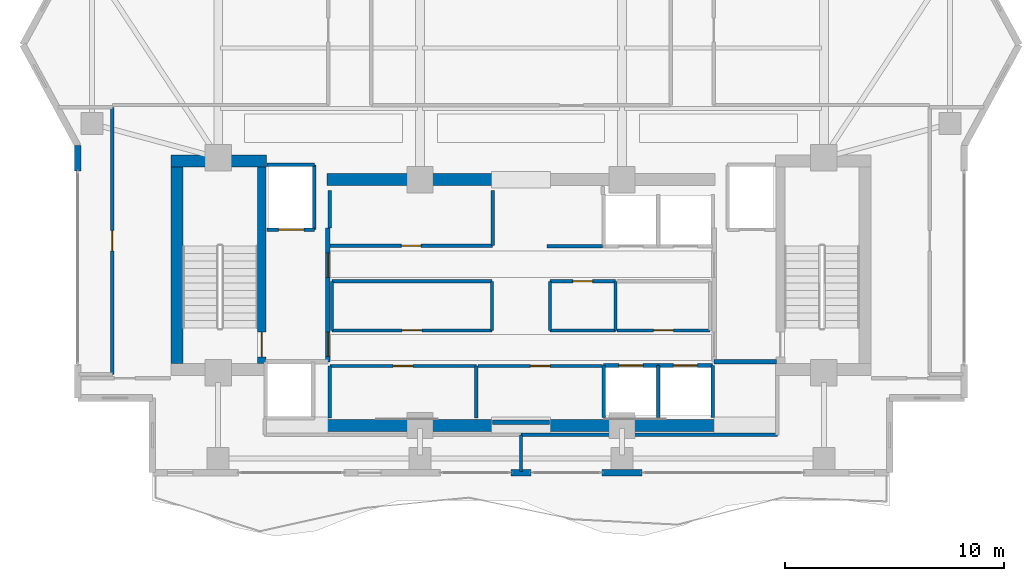
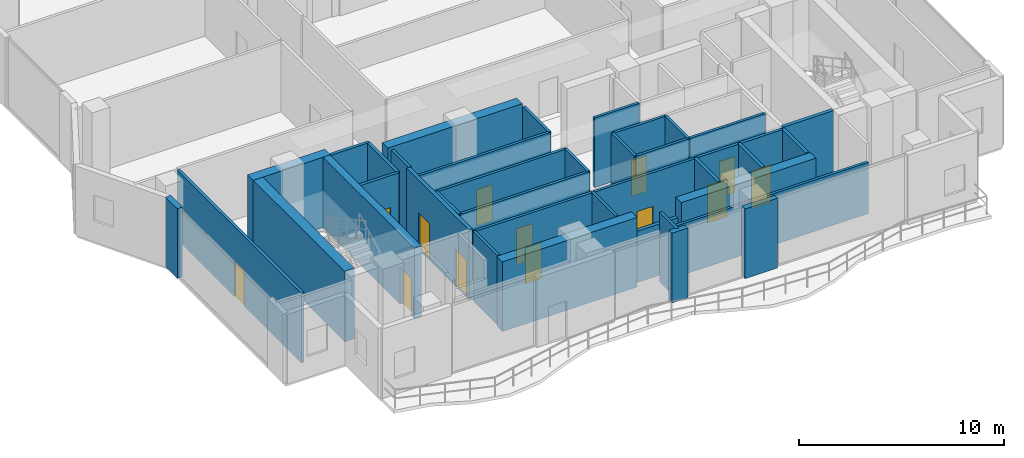
# One storey, part 17 of 24: 40 walls, 13 doors, 13 openings.
"""IFC4 building model written with IfcOpenShell, lengths in metres."""

from ifc_helpers import new_model, si_unit, direction, frame, frame_2d, origin, place, context, subcontext, project, spatial, rectangle, extrude, material, layer, layer_set, type_object, element, fill, save


model = new_model("IFC4")

# Units and contexts
model_context = context("Model", 3, precision=1e-05, world=origin(), true_north=direction((0.0, 1.0)))
body_context = subcontext(model_context, "Body", "Model", "MODEL_VIEW")
ifc_project = project(units=[si_unit("LENGTHUNIT", "METRE"), si_unit("AREAUNIT", "SQUARE_METRE"), si_unit("VOLUMEUNIT", "CUBIC_METRE"), si_unit("PLANEANGLEUNIT", "RADIAN"), si_unit("MASSUNIT", "GRAM", prefix="KILO")], contexts=[model_context])

# Site, building, storey
site_placement = place(None, origin())
site = spatial("IfcSite", under=ifc_project, at=site_placement, CompositionType="ELEMENT")
building_placement = place(site_placement, origin())
building = spatial("IfcBuilding", under=site, at=building_placement, Name="Zuhayl Quay Hotel", CompositionType="ELEMENT")
storey_placement = place(building_placement, frame((0.0, 0.0, 292.85009765625)))
storey = spatial("IfcBuildingStorey", under=building, at=storey_placement, Name="L74", CompositionType="ELEMENT", Elevation=292.85009765625)

# Walls
ifc_material_1 = material(Name="Concrete C50/60", Category="concrete")
ifc_layer_1 = layer(ifc_material_1, 0.550048828125, Name="Concrete C50/60", Category="concrete")
ifc_layer_set_1 = layer_set([ifc_layer_1], Name="Concrete C50/60")
wall_type_1 = type_object("IfcWallType", Name="WL_CORE_550", PredefinedType="SHEAR", material=ifc_layer_set_1)
wall_1_placement = place(storey_placement, frame((-15.9599609375, 14.205078125, 0.0), z_axis=(0.0, 0.0, 1.0), x_axis=(1.0, 0.0, 0.0)))
element("IfcWall", 1, at=wall_1_placement, inside=storey, type_object=wall_type_1, Name="L74 Core Shear Wall CW_NW", PredefinedType="SHEAR", context=body_context, shape_type="SweptSolid", body=[
    extrude(rectangle(XDim=4.35986328125, YDim=0.550048828125, at=frame_2d((2.179931640625, 0.0))), origin(), (0.0, 0.0, 1.0), 4.2099609375),
])
wall_2_placement = place(storey_placement, frame((-15.68505859375, 4.969970703125, 0.0), z_axis=(0.0, 0.0, 1.0), x_axis=(0.0, 1.0, 0.0)))
element("IfcWall", 2, at=wall_2_placement, inside=storey, type_object=wall_type_1, Name="L74 Core Shear Wall CW_W", PredefinedType="SHEAR", context=body_context, shape_type="SweptSolid", body=[
    extrude(rectangle(XDim=8.9599609375, YDim=0.550048828125, at=frame_2d((4.47998046875, 0.0))), origin(), (0.0, 0.0, 1.0), 4.2099609375),
])
for number, where, z_axis, x_axis, name in (
    (3, (-8.85009765625, 2.14990234375, 0.0), (0.0, 0.0, 1.0), (1.0, 0.0, 0.0), "L74 Core Shear Wall CW_SC_W"),
    (4, (1.25, 2.14990234375, 0.0), (0.0, 0.0, 1.0), (1.0, 0.0, 0.0), "L74 Core Shear Wall CW_SC_E"),
    (5, (-8.85009765625, 13.35009765625, 0.0), (0.0, 0.0, 1.0), (1.0, 0.0, 0.0), "L74 Core Shear Wall CW_NC_W"),
):
    element("IfcWall", number, at=place(storey_placement, frame(where, z_axis=z_axis, x_axis=x_axis)), inside=storey, type_object=wall_type_1, Name=name, PredefinedType="SHEAR", context=body_context, shape_type="SweptSolid", body=[
        extrude(rectangle(XDim=7.60009765625, YDim=0.550048828125, at=frame_2d((3.800048828125, 0.0))), origin(), (0.0, 0.0, 1.0), 4.159912109375),
    ])
ifc_material_2 = material(Name="Precast concrete C45/55", Category="concrete")
ifc_layer_2 = layer(ifc_material_2, 0.300048828125, Name="Precast concrete C45/55", Category="concrete")
ifc_layer_set_2 = layer_set([ifc_layer_2], Name="Precast concrete C45/55")
wall_type_2 = type_object("IfcWallType", Name="WL_EXT_300", PredefinedType="STANDARD", material=ifc_layer_set_2)
wall_3_placement = place(storey_placement, frame((-20.199951171875, 13.75, 0.0), z_axis=(0.0, 0.0, 1.0), x_axis=(0.0, 1.0, 0.0)))
element("IfcWall", 6, at=wall_3_placement, inside=storey, type_object=wall_type_2, Name="L74 Exterior Precast Wall ENV_L74_E02_EW2", PredefinedType="STANDARD", context=body_context, shape_type="SweptSolid", body=[
    extrude(rectangle(XDim=1.14990234375, YDim=0.300048828125, at=frame_2d((0.574951171875, 0.0))), origin(), (0.0, 0.0, 1.0), 4.159912109375),
])
wall_4_placement = place(storey_placement, frame((5.52001953125, 0.0, 0.0), z_axis=(0.0, 0.0, 1.0), x_axis=(-1.0, 0.0, 0.0)))
element("IfcWall", 7, at=wall_4_placement, inside=storey, type_object=wall_type_2, Name="L74 Exterior Precast Wall ENV_L74_S_EW2", PredefinedType="STANDARD", context=body_context, shape_type="SweptSolid", body=[
    extrude(rectangle(XDim=1.840087890625, YDim=0.300048828125, at=frame_2d((0.919921875, 0.0))), origin(), (0.0, 0.0, 1.0), 4.159912109375),
])
wall_5_placement = place(storey_placement, frame((0.449951171875, 0.0, 0.0), z_axis=(0.0, 0.0, 1.0), x_axis=(-1.0, 0.0, 0.0)))
element("IfcWall", 8, at=wall_5_placement, inside=storey, type_object=wall_type_2, Name="L74 Exterior Precast Wall ENV_L74_S_EW3", PredefinedType="STANDARD", context=body_context, shape_type="SweptSolid", body=[
    extrude(rectangle(XDim=0.89990234375, YDim=0.300048828125, at=frame_2d((0.449951171875, 0.0))), origin(), (0.0, 0.0, 1.0), 4.159912109375),
])

# Wall, opening, door
ifc_material_3 = material(Name="Acoustic Gypsum Partition STC-58")
ifc_layer_3 = layer(ifc_material_3, 0.14990234375, Name="Acoustic Gypsum Partition STC-58")
ifc_layer_set_3 = layer_set([ifc_layer_3], Name="Acoustic Gypsum Partition STC-58")
wall_type_3 = type_object("IfcWallType", Name="WL_PART_150", PredefinedType="PARTITIONING", material=ifc_layer_set_3)
wall_6_placement = place(storey_placement, frame((-8.7099609375, 4.860107421875, 0.0), z_axis=(0.0, 0.0, 1.0), x_axis=(1.0, 0.0, 0.0)))
wall_6 = element("IfcWall", 9, at=wall_6_placement, inside=storey, type_object=wall_type_3, Name="L74 Partition IW_L74_FMP_SW_N", PredefinedType="PARTITIONING", context=body_context, shape_type="SweptSolid", body=[
    extrude(rectangle(XDim=6.669921875, YDim=0.14990234375, at=frame_2d((3.3349609375, 0.0))), origin(), (0.0, 0.0, 1.0), 4.159912109375),
])
opening_1_placement = place(wall_6_placement, frame((2.885009765625, 0.0, 0.0)))
opening_1 = element("IfcOpeningElement", 10, at=opening_1_placement, cuts=wall_6, Name="Opening D06", PredefinedType="OPENING", context=body_context, shape_type="SweptSolid", body=[
    extrude(rectangle(XDim=0.89990234375, YDim=2.14990234375, at=frame_2d((0.449951171875, 1.074951171875))), frame((0.0, 0.0849609375, 0.0), z_axis=(0.0, -1.0, 0.0), x_axis=(1.0, 0.0, 0.0)), (0.0, 0.0, 1.0), 0.169921875),
])
ifc_material_4 = material(Name="Steel ASTM A992 Grade 50", Category="steel")
door_type_1 = type_object("IfcDoorType", Name="DR_INT_900", OperationType="NOTDEFINED", PredefinedType="DOOR", material=ifc_material_4)
door_1_placement = place(opening_1_placement, origin())
door_1 = element("IfcDoor", 11, at=door_1_placement, inside=storey, type_object=door_type_1, Name="L74 Sky-Suite Sommelier Pantry Door", OperationType="SINGLE_SWING_LEFT", OverallHeight=2.14990234375, OverallWidth=0.89990234375, PredefinedType="DOOR", context=body_context, shape_type="SweptSolid", body=[
    extrude(rectangle(XDim=0.89990234375, YDim=2.14990234375, at=frame_2d((0.449951171875, 1.074951171875))), frame((0.0, 0.02490234375, 0.0), z_axis=(0.0, -1.0, 0.0), x_axis=(1.0, 0.0, 0.0)), (0.0, 0.0, 1.0), 0.050048828125),
])
fill(opening_1, door_1)

wall_7_placement = place(storey_placement, frame((-1.9599609375, 4.860107421875, 0.0), z_axis=(0.0, 0.0, 1.0), x_axis=(1.0, 0.0, 0.0)))
wall_7 = element("IfcWall", 12, at=wall_7_placement, inside=storey, type_object=wall_type_3, Name="L74 Partition IW_L74_FMP_SE_N", PredefinedType="PARTITIONING", context=body_context, shape_type="SweptSolid", body=[
    extrude(rectangle(XDim=5.669921875, YDim=0.14990234375, at=frame_2d((2.8349609375, 0.0))), origin(), (0.0, 0.0, 1.0), 4.159912109375),
])
opening_2_placement = place(wall_7_placement, frame((2.385009765625, 0.0, 0.0)))
opening_2 = element("IfcOpeningElement", 13, at=opening_2_placement, cuts=wall_7, Name="Opening D06", PredefinedType="OPENING", context=body_context, shape_type="SweptSolid", body=[
    extrude(rectangle(XDim=0.89990234375, YDim=2.14990234375, at=frame_2d((0.449951171875, 1.074951171875))), frame((0.0, 0.0849609375, 0.0), z_axis=(0.0, -1.0, 0.0), x_axis=(1.0, 0.0, 0.0)), (0.0, 0.0, 1.0), 0.169921875),
])
door_2_placement = place(opening_2_placement, origin())
door_2 = element("IfcDoor", 14, at=door_2_placement, inside=storey, type_object=door_type_1, Name="L74 Butler Linen Store Door", OperationType="SINGLE_SWING_RIGHT", OverallHeight=2.14990234375, OverallWidth=0.89990234375, PredefinedType="DOOR", context=body_context, shape_type="SweptSolid", body=[
    extrude(rectangle(XDim=0.89990234375, YDim=2.14990234375, at=frame_2d((0.449951171875, 1.074951171875))), frame((0.0, 0.02490234375, 0.0), z_axis=(0.0, -1.0, 0.0), x_axis=(1.0, 0.0, 0.0)), (0.0, 0.0, 1.0), 0.050048828125),
])
fill(opening_2, door_2)

wall_8_placement = place(storey_placement, frame((-8.7099609375, 10.340087890625, 0.0), z_axis=(0.0, 0.0, 1.0), x_axis=(1.0, 0.0, 0.0)))
wall_8 = element("IfcWall", 15, at=wall_8_placement, inside=storey, type_object=wall_type_3, Name="L74 Partition IW_L74_FMP_NW_S", PredefinedType="PARTITIONING", context=body_context, shape_type="SweptSolid", body=[
    extrude(rectangle(XDim=7.419921875, YDim=0.14990234375, at=frame_2d((3.7099609375, 0.0))), origin(), (0.0, 0.0, 1.0), 4.159912109375),
])
opening_3_placement = place(wall_8_placement, frame((3.260009765625, 0.0, 0.0)))
opening_3 = element("IfcOpeningElement", 16, at=opening_3_placement, cuts=wall_8, Name="Opening D06", PredefinedType="OPENING", context=body_context, shape_type="SweptSolid", body=[
    extrude(rectangle(XDim=0.89990234375, YDim=2.14990234375, at=frame_2d((0.449951171875, 1.074951171875))), frame((0.0, 0.0849609375, 0.0), z_axis=(0.0, -1.0, 0.0), x_axis=(1.0, 0.0, 0.0)), (0.0, 0.0, 1.0), 0.169921875),
])
door_3_placement = place(opening_3_placement, origin())
door_3 = element("IfcDoor", 17, at=door_3_placement, inside=storey, type_object=door_type_1, Name="L74 Valet Linen Store Door", OperationType="SINGLE_SWING_LEFT", OverallHeight=2.14990234375, OverallWidth=0.89990234375, PredefinedType="DOOR", context=body_context, shape_type="SweptSolid", body=[
    extrude(rectangle(XDim=0.89990234375, YDim=2.14990234375, at=frame_2d((0.449951171875, 1.074951171875))), frame((0.0, 0.02490234375, 0.0), z_axis=(0.0, -1.0, 0.0), x_axis=(1.0, 0.0, 0.0)), (0.0, 0.0, 1.0), 0.050048828125),
])
fill(opening_3, door_3)

wall_9_placement = place(storey_placement, frame((-8.610107421875, 6.47998046875, 0.0), z_axis=(0.0, 0.0, 1.0), x_axis=(1.0, 0.0, 0.0)))
wall_9 = element("IfcWall", 18, at=wall_9_placement, inside=storey, type_object=wall_type_3, Name="L74 Partition IW_L74_CORE_EL_S", PredefinedType="PARTITIONING", context=body_context, shape_type="SweptSolid", body=[
    extrude(rectangle(XDim=7.2900390625, YDim=0.14990234375, at=frame_2d((3.64501953125, 0.0))), origin(), (0.0, 0.0, 1.0), 4.159912109375),
])
opening_4_placement = place(wall_9_placement, frame((3.195068359375, 0.0, 0.0)))
opening_4 = element("IfcOpeningElement", 19, at=opening_4_placement, cuts=wall_9, Name="Opening D06", PredefinedType="OPENING", context=body_context, shape_type="SweptSolid", body=[
    extrude(rectangle(XDim=0.89990234375, YDim=2.14990234375, at=frame_2d((0.449951171875, 1.074951171875))), frame((0.0, 0.0849609375, 0.0), z_axis=(0.0, -1.0, 0.0), x_axis=(1.0, 0.0, 0.0)), (0.0, 0.0, 1.0), 0.169921875),
])
door_4_placement = place(opening_4_placement, origin())
door_4 = element("IfcDoor", 20, at=door_4_placement, inside=storey, type_object=door_type_1, Name="L74 Floor Electrical Plant Room Door", OperationType="SINGLE_SWING_RIGHT", OverallHeight=2.14990234375, OverallWidth=0.89990234375, PredefinedType="DOOR", context=body_context, shape_type="SweptSolid", body=[
    extrude(rectangle(XDim=0.89990234375, YDim=2.14990234375, at=frame_2d((0.449951171875, 1.074951171875))), frame((0.0, 0.02490234375, 0.0), z_axis=(0.0, -1.0, 0.0), x_axis=(1.0, 0.0, 0.0)), (0.0, 0.0, 1.0), 0.050048828125),
])
fill(opening_4, door_4)

wall_10_placement = place(storey_placement, frame((1.320068359375, 8.719970703125, 0.0), z_axis=(0.0, 0.0, 1.0), x_axis=(1.0, 0.0, 0.0)))
wall_10 = element("IfcWall", 21, at=wall_10_placement, inside=storey, type_object=wall_type_3, Name="L74 Partition IW_L74_CORE_IT_N", PredefinedType="PARTITIONING", context=body_context, shape_type="SweptSolid", body=[
    extrude(rectangle(XDim=2.989990234375, YDim=0.14990234375, at=frame_2d((1.4951171875, 0.0))), origin(), (0.0, 0.0, 1.0), 4.159912109375),
])
opening_5_placement = place(wall_10_placement, frame((1.044921875, 0.0, 0.0)))
opening_5 = element("IfcOpeningElement", 22, at=opening_5_placement, cuts=wall_10, Name="Opening D06", PredefinedType="OPENING", context=body_context, shape_type="SweptSolid", body=[
    extrude(rectangle(XDim=0.89990234375, YDim=2.14990234375, at=frame_2d((0.449951171875, 1.074951171875))), frame((0.0, 0.0849609375, 0.0), z_axis=(0.0, -1.0, 0.0), x_axis=(1.0, 0.0, 0.0)), (0.0, 0.0, 1.0), 0.169921875),
])
door_5_placement = place(opening_5_placement, origin())
door_5 = element("IfcDoor", 23, at=door_5_placement, inside=storey, type_object=door_type_1, Name="L74 Telecom Closet Door", OperationType="SINGLE_SWING_LEFT", OverallHeight=2.14990234375, OverallWidth=0.89990234375, PredefinedType="DOOR", context=body_context, shape_type="SweptSolid", body=[
    extrude(rectangle(XDim=0.89990234375, YDim=2.14990234375, at=frame_2d((0.449951171875, 1.074951171875))), frame((0.0, 0.02490234375, 0.0), z_axis=(0.0, -1.0, 0.0), x_axis=(1.0, 0.0, 0.0)), (0.0, 0.0, 1.0), 0.050048828125),
])
fill(opening_5, door_5)

wall_11_placement = place(storey_placement, frame((4.3701171875, 6.47998046875, 0.0), z_axis=(0.0, 0.0, 1.0), x_axis=(1.0, 0.0, 0.0)))
wall_11 = element("IfcWall", 24, at=wall_11_placement, inside=storey, type_object=wall_type_3, Name="L74 Partition IW_L74_CORE_LN_S", PredefinedType="PARTITIONING", context=body_context, shape_type="SweptSolid", body=[
    extrude(rectangle(XDim=4.239990234375, YDim=0.14990234375, at=frame_2d((2.1201171875, 0.0))), origin(), (0.0, 0.0, 1.0), 4.159912109375),
])
opening_6_placement = place(wall_11_placement, frame((1.669921875, 0.0, 0.0)))
opening_6 = element("IfcOpeningElement", 25, at=opening_6_placement, cuts=wall_11, Name="Opening D06", PredefinedType="OPENING", context=body_context, shape_type="SweptSolid", body=[
    extrude(rectangle(XDim=0.89990234375, YDim=2.14990234375, at=frame_2d((0.449951171875, 1.074951171875))), frame((0.0, 0.0849609375, 0.0), z_axis=(0.0, -1.0, 0.0), x_axis=(1.0, 0.0, 0.0)), (0.0, 0.0, 1.0), 0.169921875),
])
door_6_placement = place(opening_6_placement, origin())
door_6 = element("IfcDoor", 26, at=door_6_placement, inside=storey, type_object=door_type_1, Name="L74 Core Linen Store Door", OperationType="SINGLE_SWING_RIGHT", OverallHeight=2.14990234375, OverallWidth=0.89990234375, PredefinedType="DOOR", context=body_context, shape_type="SweptSolid", body=[
    extrude(rectangle(XDim=0.89990234375, YDim=2.14990234375, at=frame_2d((0.449951171875, 1.074951171875))), frame((0.0, 0.02490234375, 0.0), z_axis=(0.0, -1.0, 0.0), x_axis=(1.0, 0.0, 0.0)), (0.0, 0.0, 1.0), 0.050048828125),
])
fill(opening_6, door_6)

# Walls
for number, where, z_axis, x_axis, name in (
    (27, (-8.7099609375, 2.489990234375, 0.0), (0.0, 0.0, 1.0), (0.0, 1.0, 0.0), "L74 Partition IW_L74_FMP_SW_W"),
    (28, (-2.0400390625, 2.489990234375, 0.0), (0.0, 0.0, 1.0), (0.0, 1.0, 0.0), "L74 Partition IW_L74_FMP_SW_E"),
):
    element("IfcWall", number, at=place(storey_placement, frame(where, z_axis=z_axis, x_axis=x_axis)), inside=storey, type_object=wall_type_3, Name=name, PredefinedType="PARTITIONING", context=body_context, shape_type="SweptSolid", body=[
        extrude(rectangle(XDim=2.3701171875, YDim=0.14990234375, at=frame_2d((1.18505859375, 0.0))), origin(), (0.0, 0.0, 1.0), 4.159912109375),
    ])
wall_12_placement = place(storey_placement, frame((-8.7099609375, 11.14990234375, 0.0), z_axis=(0.0, 0.0, 1.0), x_axis=(0.0, 1.0, 0.0)))
element("IfcWall", 29, at=wall_12_placement, inside=storey, type_object=wall_type_3, Name="L74 Partition IW_L74_FMP_NW_W", PredefinedType="PARTITIONING", context=body_context, shape_type="SweptSolid", body=[
    extrude(rectangle(XDim=1.710205078125, YDim=0.14990234375, at=frame_2d((0.85498046875, 0.0))), origin(), (0.0, 0.0, 1.0), 4.159912109375),
])
wall_13_placement = place(storey_placement, frame((-1.2900390625, 10.340087890625, 0.0), z_axis=(0.0, 0.0, 1.0), x_axis=(0.0, 1.0, 0.0)))
element("IfcWall", 30, at=wall_13_placement, inside=storey, type_object=wall_type_3, Name="L74 Partition IW_L74_FMP_NW_E", PredefinedType="PARTITIONING", context=body_context, shape_type="SweptSolid", body=[
    extrude(rectangle(XDim=2.52001953125, YDim=0.14990234375, at=frame_2d((1.260009765625, 0.0))), origin(), (0.0, 0.0, 1.0), 4.159912109375),
])
wall_14_placement = place(storey_placement, frame((-8.610107421875, 8.719970703125, 0.0), z_axis=(0.0, 0.0, 1.0), x_axis=(1.0, 0.0, 0.0)))
element("IfcWall", 31, at=wall_14_placement, inside=storey, type_object=wall_type_3, Name="L74 Partition IW_L74_CORE_EL_N", PredefinedType="PARTITIONING", context=body_context, shape_type="SweptSolid", body=[
    extrude(rectangle(XDim=7.2900390625, YDim=0.14990234375, at=frame_2d((3.64501953125, 0.0))), origin(), (0.0, 0.0, 1.0), 4.159912109375),
])
for number, where, z_axis, x_axis, name in (
    (32, (-8.610107421875, 6.47998046875, 0.0), (0.0, 0.0, 1.0), (0.0, 1.0, 0.0), "L74 Partition IW_L74_CORE_EL_W"),
    (33, (-1.320068359375, 6.47998046875, 0.0), (0.0, 0.0, 1.0), (0.0, 1.0, 0.0), "L74 Partition IW_L74_CORE_EL_E"),
):
    element("IfcWall", number, at=place(storey_placement, frame(where, z_axis=z_axis, x_axis=x_axis)), inside=storey, type_object=wall_type_3, Name=name, PredefinedType="PARTITIONING", context=body_context, shape_type="SweptSolid", body=[
        extrude(rectangle(XDim=2.239990234375, YDim=0.14990234375, at=frame_2d((1.1201171875, 0.0))), origin(), (0.0, 0.0, 1.0), 4.159912109375),
    ])
wall_15_placement = place(storey_placement, frame((1.320068359375, 6.47998046875, 0.0), z_axis=(0.0, 0.0, 1.0), x_axis=(1.0, 0.0, 0.0)))
element("IfcWall", 34, at=wall_15_placement, inside=storey, type_object=wall_type_3, Name="L74 Partition IW_L74_CORE_IT_S", PredefinedType="PARTITIONING", context=body_context, shape_type="SweptSolid", body=[
    extrude(rectangle(XDim=2.989990234375, YDim=0.14990234375, at=frame_2d((1.4951171875, 0.0))), origin(), (0.0, 0.0, 1.0), 4.159912109375),
])
for number, where, z_axis, x_axis, name in (
    (35, (1.320068359375, 6.47998046875, 0.0), (0.0, 0.0, 1.0), (0.0, 1.0, 0.0), "L74 Partition IW_L74_CORE_IT_W"),
    (36, (4.31005859375, 6.47998046875, 0.0), (0.0, 0.0, 1.0), (0.0, 1.0, 0.0), "L74 Partition IW_L74_CORE_IT_E"),
):
    element("IfcWall", number, at=place(storey_placement, frame(where, z_axis=z_axis, x_axis=x_axis)), inside=storey, type_object=wall_type_3, Name=name, PredefinedType="PARTITIONING", context=body_context, shape_type="SweptSolid", body=[
        extrude(rectangle(XDim=2.239990234375, YDim=0.14990234375, at=frame_2d((1.1201171875, 0.0))), origin(), (0.0, 0.0, 1.0), 4.159912109375),
    ])
wall_16_placement = place(storey_placement, frame((1.179931640625, 10.320068359375, 0.0), z_axis=(0.0, 0.0, 1.0), x_axis=(1.0, 0.0, 0.0)))
element("IfcWall", 37, at=wall_16_placement, inside=storey, type_object=wall_type_3, Name="L74 Partition IW_L74_VEST_MP4_S", PredefinedType="PARTITIONING", context=body_context, shape_type="SweptSolid", body=[
    extrude(rectangle(XDim=2.5400390625, YDim=0.14990234375, at=frame_2d((1.27001953125, 0.0))), origin(), (0.0, 0.0, 1.0), 4.159912109375),
])
wall_17_placement = place(storey_placement, frame((0.0, 1.719970703125, 0.0), z_axis=(0.0, 0.0, 1.0), x_axis=(1.0, 0.0, 0.0)))
element("IfcWall", 38, at=wall_17_placement, inside=storey, type_object=wall_type_3, Name="L74 Partition IW_L74_Z4_SUN_SE_SN", PredefinedType="PARTITIONING", context=body_context, shape_type="SweptSolid", body=[
    extrude(rectangle(XDim=11.679931640625, YDim=0.14990234375, at=frame_2d((5.83984375, 0.0))), origin(), (0.0, 0.0, 1.0), 3.059814453125),
])
wall_18_placement = place(storey_placement, frame((0.0, 0.06005859375, 0.0), z_axis=(0.0, 0.0, 1.0), x_axis=(0.0, 1.0, 0.0)))
element("IfcWall", 39, at=wall_18_placement, inside=storey, type_object=wall_type_3, Name="L74 Partition IW_L74_Z4_SUN_MID", PredefinedType="PARTITIONING", context=body_context, shape_type="SweptSolid", body=[
    extrude(rectangle(XDim=1.659912109375, YDim=0.14990234375, at=frame_2d((0.830078125, 0.0))), origin(), (0.0, 0.0, 1.0), 4.159912109375),
])

# Wall, opening, door
ifc_layer_4 = layer(ifc_material_3, 0.159912109375, Name="Acoustic Gypsum Partition STC-58")
ifc_layer_set_4 = layer_set([ifc_layer_4], Name="Acoustic Gypsum Partition STC-58")
wall_type_4 = type_object("IfcWallType", Name="WL_PART_CORR_160", PredefinedType="PARTITIONING", material=ifc_layer_set_4)
wall_19_placement = place(storey_placement, frame((-18.6201171875, 4.47998046875, 0.0), z_axis=(0.0, 0.0, 1.0), x_axis=(0.0, 1.0, 0.0)))
wall_19 = element("IfcWall", 40, at=wall_19_placement, inside=storey, type_object=wall_type_4, Name="L74 Partition IW_L74_PROW_ST_W_E", PredefinedType="PARTITIONING", context=body_context, shape_type="SweptSolid", body=[
    extrude(rectangle(XDim=12.169921875, YDim=0.159912109375, at=frame_2d((6.0849609375, 0.0))), origin(), (0.0, 0.0, 1.0), 4.159912109375),
])
opening_7_placement = place(wall_19_placement, frame((5.625, 0.0, 0.0)))
opening_7 = element("IfcOpeningElement", 41, at=opening_7_placement, cuts=wall_19, Name="Opening D05", PredefinedType="OPENING", context=body_context, shape_type="SweptSolid", body=[
    extrude(rectangle(XDim=0.919921875, YDim=2.1201171875, at=frame_2d((0.4599609375, 1.06005859375))), frame((0.0, 0.08984375, 0.0), z_axis=(0.0, -1.0, 0.0), x_axis=(1.0, 0.0, 0.0)), (0.0, 0.0, 1.0), 0.179931640625),
])
ifc_material_5 = material(Name="Solid Walnut Acoustic Fire Door")
door_type_2 = type_object("IfcDoorType", Name="DR_INT_950", OperationType="NOTDEFINED", PredefinedType="DOOR", material=ifc_material_5)
door_7_placement = place(opening_7_placement, origin())
door_7 = element("IfcDoor", 42, at=door_7_placement, inside=storey, type_object=door_type_2, Name="L74 West Prow Celestial Study Door", OperationType="SINGLE_SWING_LEFT", OverallHeight=2.1201171875, OverallWidth=0.919921875, PredefinedType="DOOR", context=body_context, shape_type="SweptSolid", body=[
    extrude(rectangle(XDim=0.919921875, YDim=2.1201171875, at=frame_2d((0.4599609375, 1.06005859375))), frame((0.0, 0.02490234375, 0.0), z_axis=(0.0, -1.0, 0.0), x_axis=(1.0, 0.0, 0.0)), (0.0, 0.0, 1.0), 0.050048828125),
])
fill(opening_7, door_7)

ifc_material_6 = material(Name="Gypsum Fireboard Assembly EI-90")
ifc_layer_5 = layer(ifc_material_6, 0.1650390625, Name="Gypsum Fireboard Assembly EI-90")
ifc_layer_set_5 = layer_set([ifc_layer_5], Name="Gypsum Fireboard Assembly EI-90")
wall_type_5 = type_object("IfcWallType", Name="WL_PART_SHAFT_160", PredefinedType="PARTITIONING", material=ifc_layer_set_5)
wall_20_placement = place(storey_placement, frame((-11.580078125, 11.070068359375, 0.0), z_axis=(0.0, 0.0, 1.0), x_axis=(1.0, 0.0, 0.0)))
wall_20 = element("IfcWall", 43, at=wall_20_placement, inside=storey, type_object=wall_type_5, Name="L74 Partition IW_L74_SH_FL1_F", PredefinedType="PARTITIONING", context=body_context, shape_type="SweptSolid", body=[
    extrude(rectangle(XDim=2.16015625, YDim=0.1650390625, at=frame_2d((1.080078125, 0.0))), origin(), (0.0, 0.0, 1.0), 4.159912109375),
])
opening_8_placement = place(wall_20_placement, frame((0.530029296875, 0.0, 0.0)))
opening_8 = element("IfcOpeningElement", 44, at=opening_8_placement, cuts=wall_20, Name="Opening LD2", PredefinedType="OPENING", context=body_context, shape_type="SweptSolid", body=[
    extrude(rectangle(XDim=1.14990234375, YDim=2.25, at=frame_2d((0.574951171875, 1.125))), frame((0.0, 0.092529296875, 0.0), z_axis=(0.0, -1.0, 0.0), x_axis=(1.0, 0.0, 0.0)), (0.0, 0.0, 1.0), 0.18505859375),
])
ifc_material_7 = material(Name="Brushed Stainless Steel", Category="steel")
door_type_3 = type_object("IfcDoorType", Name="DR_LIFT_FF_1100", OperationType="SLIDING_TO_LEFT", PredefinedType="DOOR", material=ifc_material_7)
door_8_placement = place(opening_8_placement, origin())
door_8 = element("IfcDoor", 45, at=door_8_placement, inside=storey, type_object=door_type_3, Name="L74 Lift FL1 Sliding Landing Door", OperationType="SLIDING_TO_LEFT", OverallHeight=2.25, OverallWidth=1.14990234375, PredefinedType="DOOR", context=body_context, shape_type="SweptSolid", body=[
    extrude(rectangle(XDim=1.14990234375, YDim=2.25, at=frame_2d((0.574951171875, 1.125))), frame((0.0, 0.02490234375, 0.0), z_axis=(0.0, -1.0, 0.0), x_axis=(1.0, 0.0, 0.0)), (0.0, 0.0, 1.0), 0.050048828125),
])
fill(opening_8, door_8)

wall_21_placement = place(storey_placement, frame((3.77001953125, 4.8798828125, 0.0), z_axis=(0.0, 0.0, 1.0), x_axis=(1.0, 0.0, 0.0)))
wall_21 = element("IfcWall", 46, at=wall_21_placement, inside=storey, type_object=wall_type_5, Name="L74 Partition IW_L74_SH_HP1_F", PredefinedType="PARTITIONING", context=body_context, shape_type="SweptSolid", body=[
    extrude(rectangle(XDim=2.47998046875, YDim=0.1650390625, at=frame_2d((1.239990234375, 0.0))), origin(), (0.0, 0.0, 1.0), 4.159912109375),
])
opening_9_placement = place(wall_21_placement, frame((0.68994140625, 0.0, 0.0)))
opening_9 = element("IfcOpeningElement", 47, at=opening_9_placement, cuts=wall_21, Name="Opening LD1", PredefinedType="OPENING", context=body_context, shape_type="SweptSolid", body=[
    extrude(rectangle(XDim=1.10009765625, YDim=2.25, at=frame_2d((0.550048828125, 1.125))), frame((0.0, 0.092529296875, 0.0), z_axis=(0.0, -1.0, 0.0), x_axis=(1.0, 0.0, 0.0)), (0.0, 0.0, 1.0), 0.18505859375),
])
door_type_4 = type_object("IfcDoorType", Name="DR_LIFT_PASS_1100", OperationType="SLIDING_TO_LEFT", PredefinedType="DOOR", material=ifc_material_7)
door_9_placement = place(opening_9_placement, origin())
door_9 = element("IfcDoor", 48, at=door_9_placement, inside=storey, type_object=door_type_4, Name="L74 Lift HP1 Sliding Landing Door", OperationType="SLIDING_TO_LEFT", OverallHeight=2.25, OverallWidth=1.10009765625, PredefinedType="DOOR", context=body_context, shape_type="SweptSolid", body=[
    extrude(rectangle(XDim=1.10009765625, YDim=2.25, at=frame_2d((0.550048828125, 1.125))), frame((0.0, 0.02490234375, 0.0), z_axis=(0.0, -1.0, 0.0), x_axis=(1.0, 0.0, 0.0)), (0.0, 0.0, 1.0), 0.050048828125),
])
fill(opening_9, door_9)

wall_22_placement = place(storey_placement, frame((6.25, 4.8798828125, 0.0), z_axis=(0.0, 0.0, 1.0), x_axis=(1.0, 0.0, 0.0)))
wall_22 = element("IfcWall", 49, at=wall_22_placement, inside=storey, type_object=wall_type_5, Name="L74 Partition IW_L74_SH_HP2_F", PredefinedType="PARTITIONING", context=body_context, shape_type="SweptSolid", body=[
    extrude(rectangle(XDim=2.47998046875, YDim=0.1650390625, at=frame_2d((1.239990234375, 0.0))), origin(), (0.0, 0.0, 1.0), 4.159912109375),
])
opening_10_placement = place(wall_22_placement, frame((0.68994140625, 0.0, 0.0)))
opening_10 = element("IfcOpeningElement", 50, at=opening_10_placement, cuts=wall_22, Name="Opening LD1", PredefinedType="OPENING", context=body_context, shape_type="SweptSolid", body=[
    extrude(rectangle(XDim=1.10009765625, YDim=2.25, at=frame_2d((0.550048828125, 1.125))), frame((0.0, 0.092529296875, 0.0), z_axis=(0.0, -1.0, 0.0), x_axis=(1.0, 0.0, 0.0)), (0.0, 0.0, 1.0), 0.18505859375),
])
door_10_placement = place(opening_10_placement, origin())
door_10 = element("IfcDoor", 51, at=door_10_placement, inside=storey, type_object=door_type_4, Name="L74 Lift HP2 Sliding Landing Door", OperationType="SLIDING_TO_LEFT", OverallHeight=2.25, OverallWidth=1.10009765625, PredefinedType="DOOR", context=body_context, shape_type="SweptSolid", body=[
    extrude(rectangle(XDim=1.10009765625, YDim=2.25, at=frame_2d((0.550048828125, 1.125))), frame((0.0, 0.02490234375, 0.0), z_axis=(0.0, -1.0, 0.0), x_axis=(1.0, 0.0, 0.0)), (0.0, 0.0, 1.0), 0.050048828125),
])
fill(opening_10, door_10)

# Walls
wall_23_placement = place(storey_placement, frame((-9.419921875, 11.070068359375, 0.0), z_axis=(0.0, 0.0, 1.0), x_axis=(0.0, 1.0, 0.0)))
element("IfcWall", 52, at=wall_23_placement, inside=storey, type_object=wall_type_5, Name="L74 Partition IW_L74_SH_FL1_E", PredefinedType="PARTITIONING", context=body_context, shape_type="SweptSolid", body=[
    extrude(rectangle(XDim=2.9599609375, YDim=0.1650390625, at=frame_2d((1.47998046875, 0.0))), origin(), (0.0, 0.0, 1.0), 4.159912109375),
])
wall_24_placement = place(storey_placement, frame((-11.580078125, 14.030029296875, 0.0), z_axis=(0.0, 0.0, 1.0), x_axis=(1.0, 0.0, 0.0)))
element("IfcWall", 53, at=wall_24_placement, inside=storey, type_object=wall_type_5, Name="L74 Partition IW_L74_SH_FL1_B", PredefinedType="PARTITIONING", context=body_context, shape_type="SweptSolid", body=[
    extrude(rectangle(XDim=2.16015625, YDim=0.1650390625, at=frame_2d((1.080078125, 0.0))), origin(), (0.0, 0.0, 1.0), 4.159912109375),
])
for number, where, z_axis, x_axis, name in (
    (54, (3.77001953125, 2.52001953125, 0.0), (0.0, 0.0, 1.0), (0.0, 1.0, 0.0), "L74 Partition IW_L74_SH_HP1_W"),
    (55, (6.25, 2.52001953125, 0.0), (0.0, 0.0, 1.0), (0.0, 1.0, 0.0), "L74 Partition IW_L74_SH_HP1_E"),
    (56, (8.72998046875, 2.52001953125, 0.0), (0.0, 0.0, 1.0), (0.0, 1.0, 0.0), "L74 Partition IW_L74_SH_HP2_E"),
):
    element("IfcWall", number, at=place(storey_placement, frame(where, z_axis=z_axis, x_axis=x_axis)), inside=storey, type_object=wall_type_5, Name=name, PredefinedType="PARTITIONING", context=body_context, shape_type="SweptSolid", body=[
        extrude(rectangle(XDim=2.35986328125, YDim=0.1650390625, at=frame_2d((1.179931640625, 0.0))), origin(), (0.0, 0.0, 1.0), 4.159912109375),
    ])

# Wall, openings, doors
ifc_material_8 = material(Name="Gypsum Fireboard Assembly EI-120")
ifc_layer_6 = layer(ifc_material_8, 0.199951171875, Name="Gypsum Fireboard Assembly EI-120")
ifc_layer_set_6 = layer_set([ifc_layer_6], Name="Gypsum Fireboard Assembly EI-120")
wall_type_6 = type_object("IfcWallType", Name="WL_PART_SHAFT_200", PredefinedType="PARTITIONING", material=ifc_layer_set_6)
wall_25_placement = place(storey_placement, frame((-8.800048828125, 5.050048828125, 0.0), z_axis=(0.0, 0.0, 1.0), x_axis=(0.0, 1.0, 0.0)))
wall_25 = element("IfcWall", 57, at=wall_25_placement, inside=storey, type_object=wall_type_6, Name="L74 Partition IW_L74_FSAE_W_E", PredefinedType="PARTITIONING", context=body_context, shape_type="SweptSolid", body=[
    extrude(rectangle(XDim=6.099853515625, YDim=0.199951171875, at=frame_2d((3.0498046875, 0.0))), origin(), (0.0, 0.0, 1.0), 4.159912109375),
])
opening_11_placement = place(wall_25_placement, frame((0.25, 0.0, 0.0)))
opening_11 = element("IfcOpeningElement", 58, at=opening_11_placement, cuts=wall_25, Name="Opening D02", PredefinedType="OPENING", context=body_context, shape_type="SweptSolid", body=[
    extrude(rectangle(XDim=1.10009765625, YDim=2.199951171875, at=frame_2d((0.550048828125, 1.10009765625))), frame((0.0, 0.10986328125, 0.0), z_axis=(0.0, -1.0, 0.0), x_axis=(1.0, 0.0, 0.0)), (0.0, 0.0, 1.0), 0.219970703125),
])
opening_12_placement = place(wall_25_placement, frame((3.85009765625, 0.0, 0.0)))
opening_12 = element("IfcOpeningElement", 59, at=opening_12_placement, cuts=wall_25, Name="Opening D02", PredefinedType="OPENING", context=body_context, shape_type="SweptSolid", body=[
    extrude(rectangle(XDim=1.10009765625, YDim=2.199951171875, at=frame_2d((0.550048828125, 1.10009765625))), frame((0.0, 0.10986328125, 0.0), z_axis=(0.0, -1.0, 0.0), x_axis=(1.0, 0.0, 0.0)), (0.0, 0.0, 1.0), 0.219970703125),
])
door_type_5 = type_object("IfcDoorType", Name="DR_FIRE_90_1100", OperationType="NOTDEFINED", PredefinedType="DOOR", material=ifc_material_4)
door_11_placement = place(opening_11_placement, origin())
door_11 = element("IfcDoor", 60, at=door_11_placement, inside=storey, type_object=door_type_5, Name="L74 FSAE Lobby West South Entry Door", OperationType="SINGLE_SWING_LEFT", OverallHeight=2.199951171875, OverallWidth=1.10009765625, PredefinedType="DOOR", context=body_context, shape_type="SweptSolid", body=[
    extrude(rectangle(XDim=1.10009765625, YDim=2.199951171875, at=frame_2d((0.550048828125, 1.10009765625))), frame((0.0, 0.02490234375, 0.0), z_axis=(0.0, -1.0, 0.0), x_axis=(1.0, 0.0, 0.0)), (0.0, 0.0, 1.0), 0.050048828125),
])
fill(opening_11, door_11)
door_12_placement = place(opening_12_placement, origin())
door_12 = element("IfcDoor", 61, at=door_12_placement, inside=storey, type_object=door_type_5, Name="L74 FSAE Lobby West North Entry Door", OperationType="SINGLE_SWING_RIGHT", OverallHeight=2.199951171875, OverallWidth=1.10009765625, PredefinedType="DOOR", context=body_context, shape_type="SweptSolid", body=[
    extrude(rectangle(XDim=1.10009765625, YDim=2.199951171875, at=frame_2d((0.550048828125, 1.10009765625))), frame((0.0, 0.02490234375, 0.0), z_axis=(0.0, -1.0, 0.0), x_axis=(1.0, 0.0, 0.0)), (0.0, 0.0, 1.0), 0.050048828125),
])
fill(opening_12, door_12)

# Walls
wall_26_placement = place(storey_placement, frame((8.800048828125, 5.050048828125, 0.0), z_axis=(0.0, 0.0, 1.0), x_axis=(1.0, 0.0, 0.0)))
element("IfcWall", 62, at=wall_26_placement, inside=storey, type_object=wall_type_6, Name="L74 Partition IW_L74_FSAE_E_S", PredefinedType="PARTITIONING", context=body_context, shape_type="SweptSolid", body=[
    extrude(rectangle(XDim=2.849853515625, YDim=0.199951171875, at=frame_2d((1.4248046875, 0.0))), origin(), (0.0, 0.0, 1.0), 4.159912109375),
])
wall_27_placement = place(storey_placement, frame((-1.300048828125, 2.300048828125, 0.0), z_axis=(0.0, 0.0, 1.0), x_axis=(1.0, 0.0, 0.0)))
element("IfcWall", 63, at=wall_27_placement, inside=storey, type_object=wall_type_6, Name="L74 Partition IW_L74_CORE_SCM", PredefinedType="PARTITIONING", context=body_context, shape_type="SweptSolid", body=[
    extrude(rectangle(XDim=2.60009765625, YDim=0.199951171875, at=frame_2d((1.300048828125, 0.0))), origin(), (0.0, 0.0, 1.0), 3.059814453125),
])

# Wall, opening, door
ifc_material_9 = material(Name="Concrete C60/75", Category="concrete")
ifc_layer_7 = layer(ifc_material_9, 0.39990234375, Name="Concrete C60/75", Category="concrete")
ifc_layer_set_7 = layer_set([ifc_layer_7], Name="Concrete C60/75")
wall_type_7 = type_object("IfcWallType", Name="WL_STAIR_400", PredefinedType="SHEAR", material=ifc_layer_set_7)
wall_28_placement = place(storey_placement, frame((-11.820068359375, 4.969970703125, 0.0), z_axis=(0.0, 0.0, 1.0), x_axis=(0.0, 1.0, 0.0)))
wall_28 = element("IfcWall", 64, at=wall_28_placement, inside=storey, type_object=wall_type_7, Name="L74 Core Shear Wall SW_ST1", PredefinedType="SHEAR", context=body_context, shape_type="SweptSolid", body=[
    extrude(rectangle(XDim=8.9599609375, YDim=0.39990234375, at=frame_2d((4.47998046875, 0.0))), origin(), (0.0, 0.0, 1.0), 4.2099609375),
])
opening_13_placement = place(wall_28_placement, frame((0.31005859375, 0.0, 0.0)))
opening_13 = element("IfcOpeningElement", 65, at=opening_13_placement, cuts=wall_28, Name="Opening D01", PredefinedType="OPENING", context=body_context, shape_type="SweptSolid", body=[
    extrude(rectangle(XDim=1.1201171875, YDim=2.219970703125, at=frame_2d((0.56005859375, 1.10986328125))), frame((0.0, 0.2099609375, 0.0), z_axis=(0.0, -1.0, 0.0), x_axis=(1.0, 0.0, 0.0)), (0.0, 0.0, 1.0), 0.419921875),
])
door_type_6 = type_object("IfcDoorType", Name="DR_STAIR_90_1100", OperationType="NOTDEFINED", PredefinedType="DOOR", material=ifc_material_4)
door_13_placement = place(opening_13_placement, origin())
door_13 = element("IfcDoor", 66, at=door_13_placement, inside=storey, type_object=door_type_6, Name="L74 Smokeproof Exit Stair ST1 Door", OperationType="SINGLE_SWING_LEFT", OverallHeight=2.219970703125, OverallWidth=1.1201171875, PredefinedType="DOOR", context=body_context, shape_type="SweptSolid", body=[
    extrude(rectangle(XDim=1.1201171875, YDim=2.219970703125, at=frame_2d((0.56005859375, 1.10986328125))), frame((0.0, 0.02490234375, 0.0), z_axis=(0.0, -1.0, 0.0), x_axis=(1.0, 0.0, 0.0)), (0.0, 0.0, 1.0), 0.050048828125),
])
fill(opening_13, door_13)

save(model, "model.ifc")
